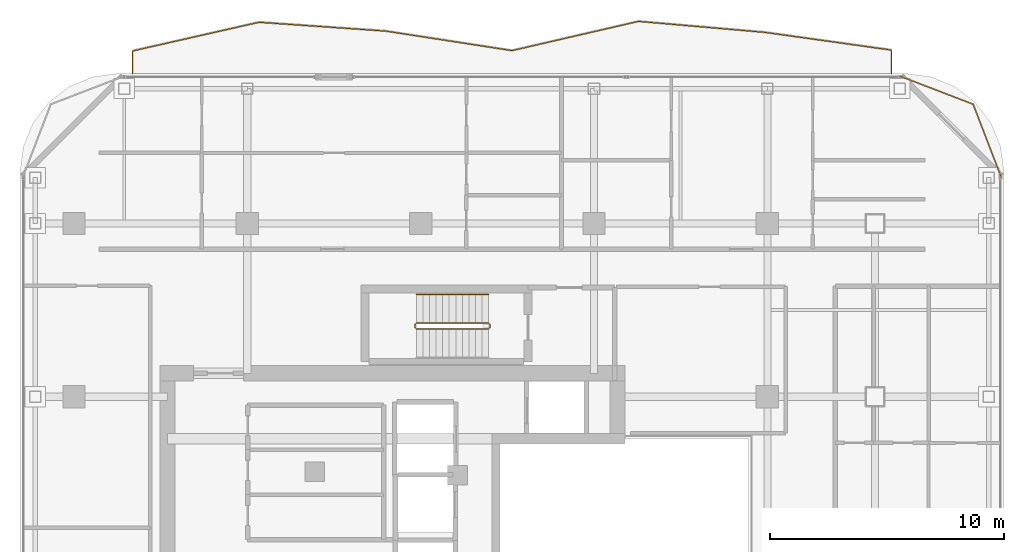
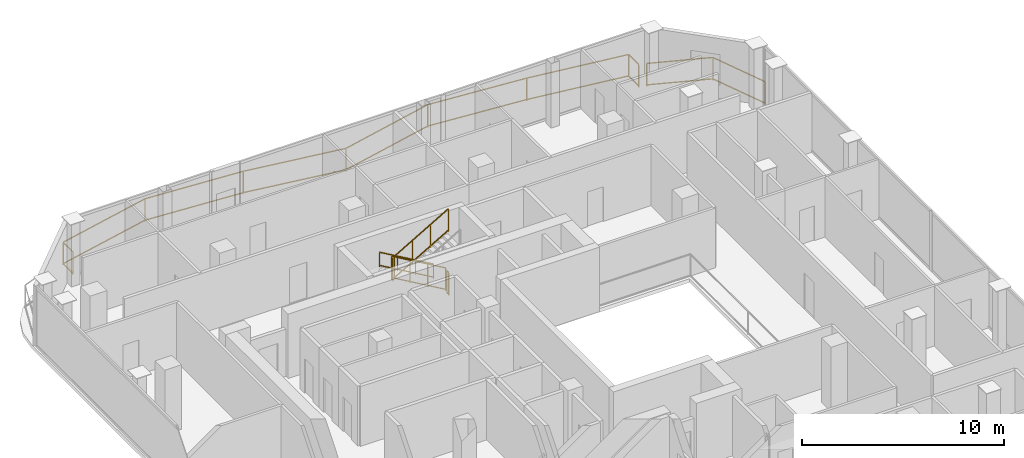
# One storey, part 22 of 22: 7 railings.
"""IFC4 building model written with IfcOpenShell, lengths in metres."""

from ifc_helpers import new_model, si_unit, direction, frame, origin, origin_2d, place, context, subcontext, project, spatial, rectangle, extrude, material, type_object, element, save


model = new_model("IFC4")

# Units and contexts
model_context = context("Model", 3, precision=1e-05, world=origin(), true_north=direction((0.0, 1.0)))
body_context = subcontext(model_context, "Body", "Model", "MODEL_VIEW")
ifc_project = project(units=[si_unit("LENGTHUNIT", "METRE"), si_unit("AREAUNIT", "SQUARE_METRE"), si_unit("VOLUMEUNIT", "CUBIC_METRE"), si_unit("PLANEANGLEUNIT", "RADIAN"), si_unit("MASSUNIT", "GRAM", prefix="KILO")], contexts=[model_context])

# Site, building, storey
site_placement = place(None, origin())
site = spatial("IfcSite", under=ifc_project, at=site_placement, CompositionType="ELEMENT")
building_placement = place(site_placement, origin())
building = spatial("IfcBuilding", under=site, at=building_placement, Name="Khorvyn Point Tower", CompositionType="ELEMENT")
storey_placement = place(building_placement, frame((0.0, 0.0, 282.0)))
storey = spatial("IfcBuildingStorey", under=building, at=storey_placement, Name="L69", CompositionType="ELEMENT", Elevation=282.0)

# Railings
ifc_material_1 = material(Name="Anodised aluminium 6063-T6 and laminated safety glass", Category="aluminium")
railing_type_1 = type_object("IfcRailingType", Name="Laminated Glass and Aluminium Balcony Guardrail 1400", PredefinedType="BALUSTRADE", material=ifc_material_1)
railing_1_placement = place(storey_placement, frame((24.7744140625, 16.78662109375, 0.0)))
element("IfcRailing", 1, at=railing_1_placement, inside=storey, type_object=railing_type_1, Name="L69 Rounded Corner Edge Guardrail NE", PredefinedType="BALUSTRADE", context=body_context, shape_type="SweptSolid", body=[
    extrude(rectangle(XDim=0.048095703125, YDim=0.048095703125, at=origin_2d()), frame((0.0, 0.0, 1.3759765625), z_axis=(-0.358392411044, 0.93357103624, 0.0), x_axis=(-0.93357103624, -0.358392411044, 0.0)), (0.0, 0.0, 1.0), 3.31884765625),
    extrude(rectangle(XDim=0.048095703125, YDim=0.048095703125, at=origin_2d()), frame((0.0, 0.0, 0.080078125), z_axis=(-0.358392411044, 0.93357103624, 0.0), x_axis=(-0.93357103624, -0.358392411044, 0.0)), (0.0, 0.0, 1.0), 3.31884765625),
    extrude(rectangle(XDim=0.048095703125, YDim=0.048095703125, at=origin_2d()), frame((-1.189453125, 3.098388671875, 1.3759765625), z_axis=(-0.93357103624, 0.358392411044, 0.0), x_axis=(-0.358392411044, -0.93357103624, 0.0)), (0.0, 0.0, 1.0), 3.31884765625),
    extrude(rectangle(XDim=0.048095703125, YDim=0.048095703125, at=origin_2d()), frame((-1.189453125, 3.098388671875, 0.080078125), z_axis=(-0.93357103624, 0.358392411044, 0.0), x_axis=(-0.358392411044, -0.93357103624, 0.0)), (0.0, 0.0, 1.0), 3.31884765625),
    extrude(rectangle(XDim=0.0419921875, YDim=0.0419921875, at=origin_2d()), origin(), (0.0, 0.0, 1.0), 1.351806640625),
    extrude(rectangle(XDim=0.0419921875, YDim=0.0419921875, at=origin_2d()), frame((-1.189453125, 3.098388671875, 0.0)), (0.0, 0.0, 1.0), 1.351806640625),
    extrude(rectangle(XDim=0.0419921875, YDim=0.0419921875, at=origin_2d()), frame((-4.287841796875, 4.287841796875, 0.0)), (0.0, 0.0, 1.0), 1.351806640625),
])
railing_2_placement = place(storey_placement, frame((20.10009765625, 21.199951171875, 0.0)))
element("IfcRailing", 2, at=railing_2_placement, inside=storey, type_object=railing_type_1, Name="L69 North Balcony Guardrail", PredefinedType="BALUSTRADE", context=body_context, shape_type="SweptSolid", body=[
    extrude(rectangle(XDim=0.048095703125, YDim=0.048095703125, at=origin_2d()), frame((0.0, 0.0, 1.3759765625), z_axis=(0.0, 1.0, 0.0), x_axis=(-1.0, 0.0, 0.0)), (0.0, 0.0, 1.0), 0.995361328125),
    extrude(rectangle(XDim=0.048095703125, YDim=0.048095703125, at=origin_2d()), frame((0.0, 0.0, 0.080078125), z_axis=(0.0, 1.0, 0.0), x_axis=(-1.0, 0.0, 0.0)), (0.0, 0.0, 1.0), 0.995361328125),
    extrude(rectangle(XDim=0.048095703125, YDim=0.048095703125, at=origin_2d()), frame((0.0, 0.995361328125, 1.3759765625), z_axis=(-0.990321202679, 0.138794508265, 0.0), x_axis=(-0.138794508265, -0.990321202679, 0.0)), (0.0, 0.0, 1.0), 5.452880859375),
    extrude(rectangle(XDim=0.048095703125, YDim=0.048095703125, at=origin_2d()), frame((0.0, 0.995361328125, 0.080078125), z_axis=(-0.990321202679, 0.138794508265, 0.0), x_axis=(-0.138794508265, -0.990321202679, 0.0)), (0.0, 0.0, 1.0), 5.452880859375),
    extrude(rectangle(XDim=0.048095703125, YDim=0.048095703125, at=origin_2d()), frame((-5.400146484375, 1.752197265625, 1.3759765625), z_axis=(-0.996253422429, 0.086481895789, 0.0), x_axis=(-0.086481895789, -0.996253422429, 0.0)), (0.0, 0.0, 1.0), 5.420166015625),
    extrude(rectangle(XDim=0.048095703125, YDim=0.048095703125, at=origin_2d()), frame((-5.400146484375, 1.752197265625, 0.080078125), z_axis=(-0.996253422429, 0.086481895789, 0.0), x_axis=(-0.086481895789, -0.996253422429, 0.0)), (0.0, 0.0, 1.0), 5.420166015625),
    extrude(rectangle(XDim=0.048095703125, YDim=0.048095703125, at=origin_2d()), frame((-10.800048828125, 2.220947265625, 1.3759765625), z_axis=(-0.974365946798, -0.22496889056, 0.0), x_axis=(0.22496889056, -0.974365946798, 0.0)), (0.0, 0.0, 1.0), 5.542236328125),
    extrude(rectangle(XDim=0.048095703125, YDim=0.048095703125, at=origin_2d()), frame((-10.800048828125, 2.220947265625, 0.080078125), z_axis=(-0.974365946798, -0.22496889056, 0.0), x_axis=(0.22496889056, -0.974365946798, 0.0)), (0.0, 0.0, 1.0), 5.542236328125),
    extrude(rectangle(XDim=0.048095703125, YDim=0.048095703125, at=origin_2d()), frame((-16.2001953125, 0.97412109375, 1.3759765625), z_axis=(-0.988275939856, 0.152678311171, 0.0), x_axis=(-0.152678311171, -0.988275939856, 0.0)), (0.0, 0.0, 1.0), 5.4638671875),
    extrude(rectangle(XDim=0.048095703125, YDim=0.048095703125, at=origin_2d()), frame((-16.2001953125, 0.97412109375, 0.080078125), z_axis=(-0.988275939856, 0.152678311171, 0.0), x_axis=(-0.152678311171, -0.988275939856, 0.0)), (0.0, 0.0, 1.0), 5.4638671875),
    extrude(rectangle(XDim=0.048095703125, YDim=0.048095703125, at=origin_2d()), frame((-21.60009765625, 1.808349609375, 1.3759765625), z_axis=(-0.997597334379, 0.069278845538, 0.0), x_axis=(-0.069278845538, -0.997597334379, 0.0)), (0.0, 0.0, 1.0), 5.412841796875),
    extrude(rectangle(XDim=0.048095703125, YDim=0.048095703125, at=origin_2d()), frame((-21.60009765625, 1.808349609375, 0.080078125), z_axis=(-0.997597334379, 0.069278845538, 0.0), x_axis=(-0.069278845538, -0.997597334379, 0.0)), (0.0, 0.0, 1.0), 5.412841796875),
    extrude(rectangle(XDim=0.048095703125, YDim=0.048095703125, at=origin_2d()), frame((-27.0, 2.183349609375, 1.3759765625), z_axis=(-0.975180905151, -0.221409580255, 0.0), x_axis=(0.221409580255, -0.975180905151, 0.0)), (0.0, 0.0, 1.0), 5.53759765625),
    extrude(rectangle(XDim=0.048095703125, YDim=0.048095703125, at=origin_2d()), frame((-27.0, 2.183349609375, 0.080078125), z_axis=(-0.975180905151, -0.221409580255, 0.0), x_axis=(0.221409580255, -0.975180905151, 0.0)), (0.0, 0.0, 1.0), 5.53759765625),
    extrude(rectangle(XDim=0.048095703125, YDim=0.048095703125, at=origin_2d()), frame((-32.400146484375, 0.957275390625, 1.3759765625), z_axis=(0.0, -1.0, 0.0), x_axis=(1.0, 0.0, 0.0)), (0.0, 0.0, 1.0), 0.957275390625),
    extrude(rectangle(XDim=0.048095703125, YDim=0.048095703125, at=origin_2d()), frame((-32.400146484375, 0.957275390625, 0.080078125), z_axis=(0.0, -1.0, 0.0), x_axis=(1.0, 0.0, 0.0)), (0.0, 0.0, 1.0), 0.957275390625),
    extrude(rectangle(XDim=0.0419921875, YDim=0.0419921875, at=origin_2d()), origin(), (0.0, 0.0, 1.0), 1.351806640625),
    extrude(rectangle(XDim=0.0419921875, YDim=0.0419921875, at=origin_2d()), frame((0.0, 0.995361328125, 0.0)), (0.0, 0.0, 1.0), 1.351806640625),
    extrude(rectangle(XDim=0.0419921875, YDim=0.0419921875, at=origin_2d()), frame((-5.400146484375, 1.752197265625, 0.0)), (0.0, 0.0, 1.0), 1.351806640625),
    extrude(rectangle(XDim=0.0419921875, YDim=0.0419921875, at=origin_2d()), frame((-10.800048828125, 2.220947265625, 0.0)), (0.0, 0.0, 1.0), 1.351806640625),
    extrude(rectangle(XDim=0.0419921875, YDim=0.0419921875, at=origin_2d()), frame((-16.2001953125, 0.97412109375, 0.0)), (0.0, 0.0, 1.0), 1.351806640625),
    extrude(rectangle(XDim=0.0419921875, YDim=0.0419921875, at=origin_2d()), frame((-21.60009765625, 1.808349609375, 0.0)), (0.0, 0.0, 1.0), 1.351806640625),
    extrude(rectangle(XDim=0.0419921875, YDim=0.0419921875, at=origin_2d()), frame((-27.0, 2.183349609375, 0.0)), (0.0, 0.0, 1.0), 1.351806640625),
    extrude(rectangle(XDim=0.0419921875, YDim=0.0419921875, at=origin_2d()), frame((-32.400146484375, 0.957275390625, 0.0)), (0.0, 0.0, 1.0), 1.351806640625),
    extrude(rectangle(XDim=0.0419921875, YDim=0.0419921875, at=origin_2d()), frame((-32.400146484375, 0.0, 0.0)), (0.0, 0.0, 1.0), 1.351806640625),
])
ifc_material_2 = material(Name="Stainless steel 1.4301", Category="steel")
railing_type_2 = type_object("IfcRailingType", Name="Stainless Steel 304 Stair Pitch Handrail 900", PredefinedType="HANDRAIL", material=ifc_material_2)
railing_3_placement = place(storey_placement, frame((2.89990234375, 11.77001953125, 0.16259765625)))
element("IfcRailing", 3, at=railing_3_placement, inside=storey, type_object=railing_type_2, Name="L69 ST-02 stair handrail 1", PredefinedType="HANDRAIL", context=body_context, shape_type="SweptSolid", body=[
    extrude(rectangle(XDim=0.048095703125, YDim=0.048095703125, at=origin_2d()), frame((0.0, 0.0, 0.8759765625), z_axis=(-0.864903211148, 0.0, 0.501938676878), x_axis=(0.0, -1.0, 0.0)), (0.0, 0.0, 1.0), 3.560791015625),
    extrude(rectangle(XDim=0.048095703125, YDim=0.048095703125, at=origin_2d()), frame((0.0, 0.0, 0.080078125), z_axis=(-0.864903211148, 0.0, 0.501938676878), x_axis=(0.0, -1.0, 0.0)), (0.0, 0.0, 1.0), 3.560791015625),
    extrude(rectangle(XDim=0.0419921875, YDim=0.0419921875, at=origin_2d()), origin(), (0.0, 0.0, 1.0), 0.851806640625),
    extrude(rectangle(XDim=0.0419921875, YDim=0.0419921875, at=origin_2d()), frame((-1.026611328125, 0.0, 0.595703125)), (0.0, 0.0, 1.0), 0.851806640625),
    extrude(rectangle(XDim=0.0419921875, YDim=0.0419921875, at=origin_2d()), frame((-2.05322265625, 0.0, 1.191650390625)), (0.0, 0.0, 1.0), 0.851806640625),
    extrude(rectangle(XDim=0.0419921875, YDim=0.0419921875, at=origin_2d()), frame((-3.079833984375, 0.0, 1.787353515625)), (0.0, 0.0, 1.0), 0.851806640625),
])
railing_type_3 = type_object("IfcRailingType", Name="Stainless Steel 304 Stair Well Guardrail 1400", PredefinedType="GUARDRAIL", material=ifc_material_2)
railing_4_placement = place(storey_placement, frame((2.89990234375, 10.550048828125, 0.16259765625)))
element("IfcRailing", 4, at=railing_4_placement, inside=storey, type_object=railing_type_3, Name="L69 ST-02 stair guard 1", PredefinedType="GUARDRAIL", context=body_context, shape_type="SweptSolid", body=[
    extrude(rectangle(XDim=0.048095703125, YDim=0.048095703125, at=origin_2d()), frame((0.0, 0.0, 1.3759765625), z_axis=(-0.864903211148, 0.0, 0.501938676878), x_axis=(0.0, -1.0, 0.0)), (0.0, 0.0, 1.0), 3.560791015625),
    extrude(rectangle(XDim=0.048095703125, YDim=0.048095703125, at=origin_2d()), frame((0.0, 0.0, 0.080078125), z_axis=(-0.864903211148, 0.0, 0.501938676878), x_axis=(0.0, -1.0, 0.0)), (0.0, 0.0, 1.0), 3.560791015625),
    extrude(rectangle(XDim=0.0419921875, YDim=0.0419921875, at=origin_2d()), origin(), (0.0, 0.0, 1.0), 1.351806640625),
    extrude(rectangle(XDim=0.0419921875, YDim=0.0419921875, at=origin_2d()), frame((-1.026611328125, 0.0, 0.595703125)), (0.0, 0.0, 1.0), 1.351806640625),
    extrude(rectangle(XDim=0.0419921875, YDim=0.0419921875, at=origin_2d()), frame((-2.05322265625, 0.0, 1.191650390625)), (0.0, 0.0, 1.0), 1.351806640625),
    extrude(rectangle(XDim=0.0419921875, YDim=0.0419921875, at=origin_2d()), frame((-3.079833984375, 0.0, 1.787353515625)), (0.0, 0.0, 1.0), 1.351806640625),
])
railing_5_placement = place(storey_placement, frame((-0.22998046875, 10.5, 1.949951171875)))
element("IfcRailing", 5, at=railing_5_placement, inside=storey, type_object=railing_type_3, Name="L69 ST-02 stair guard 2", PredefinedType="GUARDRAIL", context=body_context, shape_type="SweptSolid", body=[
    extrude(rectangle(XDim=0.048095703125, YDim=0.048095703125, at=origin_2d()), frame((0.0, 0.0, 1.3759765625), z_axis=(0.0, -1.0, 0.0), x_axis=(1.0, 0.0, 0.0)), (0.0, 0.0, 1.0), 0.159912109375),
    extrude(rectangle(XDim=0.048095703125, YDim=0.048095703125, at=origin_2d()), frame((0.0, 0.0, 0.080078125), z_axis=(0.0, -1.0, 0.0), x_axis=(1.0, 0.0, 0.0)), (0.0, 0.0, 1.0), 0.159912109375),
    extrude(rectangle(XDim=0.0419921875, YDim=0.0419921875, at=origin_2d()), origin(), (0.0, 0.0, 1.0), 1.351806640625),
    extrude(rectangle(XDim=0.0419921875, YDim=0.0419921875, at=origin_2d()), frame((0.0, -0.159912109375, 0.0)), (0.0, 0.0, 1.0), 1.351806640625),
])
railing_6_placement = place(storey_placement, frame((-0.179931640625, 10.2900390625, 2.112548828125)))
element("IfcRailing", 6, at=railing_6_placement, inside=storey, type_object=railing_type_3, Name="L69 ST-02 stair guard 3", PredefinedType="GUARDRAIL", context=body_context, shape_type="SweptSolid", body=[
    extrude(rectangle(XDim=0.048095703125, YDim=0.048095703125, at=origin_2d()), frame((0.0, 0.0, 1.3759765625), z_axis=(0.864903211148, 0.0, 0.501938676878), x_axis=(0.0, 1.0, 0.0)), (0.0, 0.0, 1.0), 3.560791015625),
    extrude(rectangle(XDim=0.048095703125, YDim=0.048095703125, at=origin_2d()), frame((0.0, 0.0, 0.080078125), z_axis=(0.864903211148, 0.0, 0.501938676878), x_axis=(0.0, 1.0, 0.0)), (0.0, 0.0, 1.0), 3.560791015625),
    extrude(rectangle(XDim=0.0419921875, YDim=0.0419921875, at=origin_2d()), origin(), (0.0, 0.0, 1.0), 1.351806640625),
    extrude(rectangle(XDim=0.0419921875, YDim=0.0419921875, at=origin_2d()), frame((1.026611328125, 0.0, 0.595703125)), (0.0, 0.0, 1.0), 1.351806640625),
    extrude(rectangle(XDim=0.0419921875, YDim=0.0419921875, at=origin_2d()), frame((2.05322265625, 0.0, 1.191650390625)), (0.0, 0.0, 1.0), 1.351806640625),
    extrude(rectangle(XDim=0.0419921875, YDim=0.0419921875, at=origin_2d()), frame((3.079833984375, 0.0, 1.787353515625)), (0.0, 0.0, 1.0), 1.351806640625),
])
railing_7_placement = place(storey_placement, frame((2.949951171875, 10.5, 0.0)))
element("IfcRailing", 7, at=railing_7_placement, inside=storey, type_object=railing_type_3, Name="L69 ST-02 stair guard 4", PredefinedType="GUARDRAIL", context=body_context, shape_type="SweptSolid", body=[
    extrude(rectangle(XDim=0.048095703125, YDim=0.048095703125, at=origin_2d()), frame((0.0, 0.0, 1.3759765625), z_axis=(0.0, -1.0, 0.0), x_axis=(1.0, 0.0, 0.0)), (0.0, 0.0, 1.0), 0.159912109375),
    extrude(rectangle(XDim=0.048095703125, YDim=0.048095703125, at=origin_2d()), frame((0.0, 0.0, 0.080078125), z_axis=(0.0, -1.0, 0.0), x_axis=(1.0, 0.0, 0.0)), (0.0, 0.0, 1.0), 0.159912109375),
    extrude(rectangle(XDim=0.0419921875, YDim=0.0419921875, at=origin_2d()), origin(), (0.0, 0.0, 1.0), 1.351806640625),
    extrude(rectangle(XDim=0.0419921875, YDim=0.0419921875, at=origin_2d()), frame((0.0, -0.159912109375, 0.0)), (0.0, 0.0, 1.0), 1.351806640625),
])

save(model, "model.ifc")
